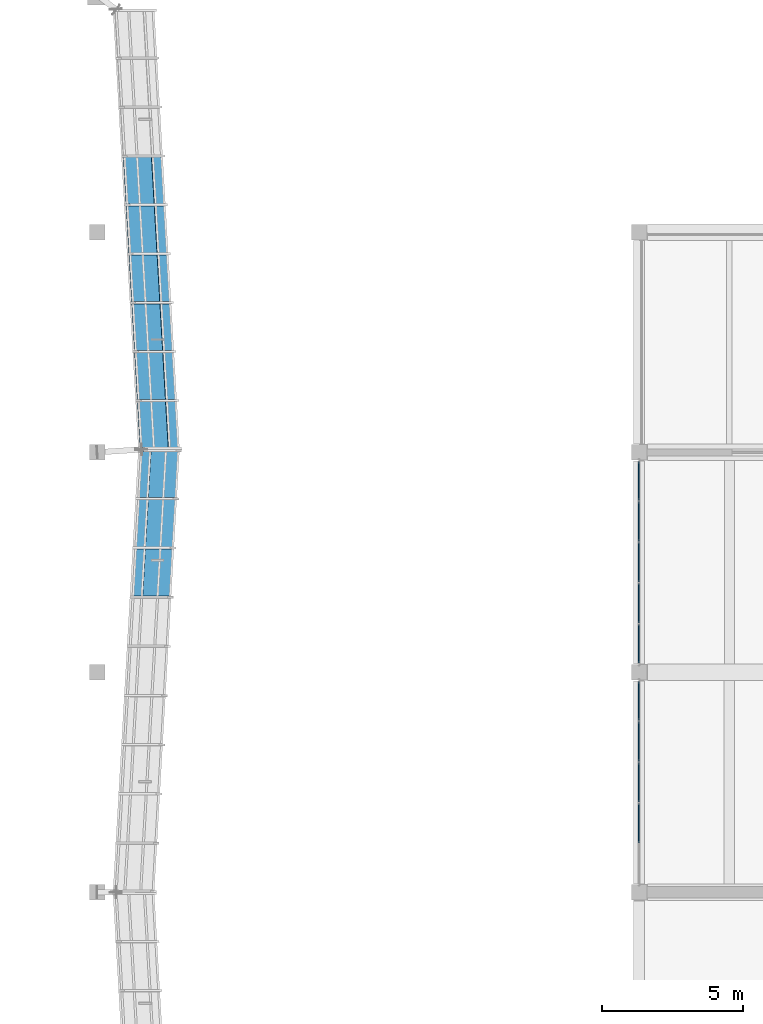
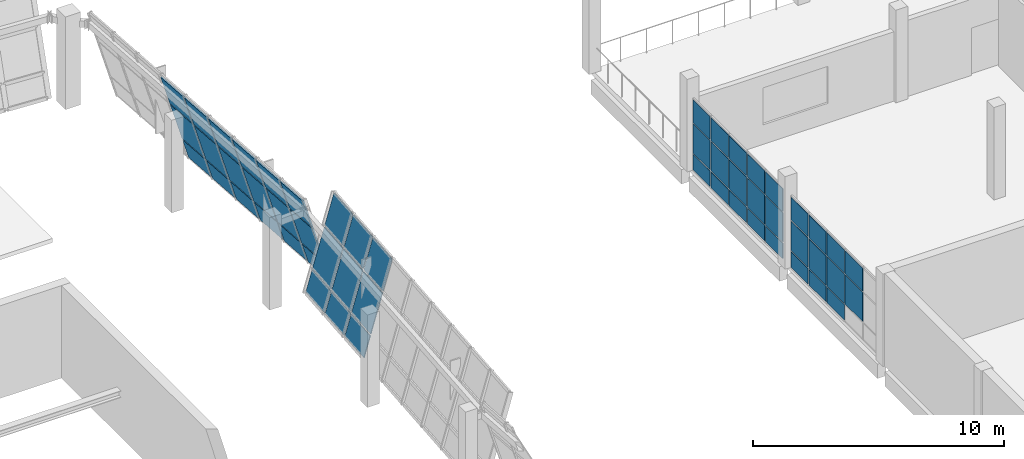
# One storey, part 41 of 67: 53 plates, 4 elements without a shape of their own.
"""IFC4 building model written with IfcOpenShell, lengths in metres."""

from ifc_helpers import new_model, si_unit, direction, frame, origin, place, context, subcontext, project, spatial, polyline, outline, extrude, material, layer, layer_set, type_object, element, aggregate, save


model = new_model("IFC4")

# Units and contexts
model_context = context("Model", 3, precision=1e-05, world=origin(), true_north=direction((0.0, 1.0)))
body_context = subcontext(model_context, "Body", "Model", "MODEL_VIEW")
ifc_project = project(units=[si_unit("LENGTHUNIT", "METRE"), si_unit("AREAUNIT", "SQUARE_METRE"), si_unit("VOLUMEUNIT", "CUBIC_METRE"), si_unit("PLANEANGLEUNIT", "RADIAN"), si_unit("MASSUNIT", "GRAM", prefix="KILO")], contexts=[model_context])

# Site, building, storey
site_placement = place(None, origin())
site = spatial("IfcSite", under=ifc_project, at=site_placement, CompositionType="ELEMENT")
building_placement = place(site_placement, origin())
building = spatial("IfcBuilding", under=site, at=building_placement, Name="Pellamere Symphony Hall", CompositionType="ELEMENT")
storey_placement = place(building_placement, frame((0.0, 0.0, 19.5)))
storey = spatial("IfcBuildingStorey", under=building, at=storey_placement, Name="L04", CompositionType="ELEMENT", Elevation=19.5)

# Curtain wall, plates
ifc_material_1 = material(Name="Thermally Broken Anodised Aluminium 6063-T6 Curtain Wall", Category="aluminium")
curtain_wall_type_1 = type_object("IfcCurtainWallType", Name="Curtain Wall CW-05 (Artists Wing North Studio Ribbon Curtain Wall)", PredefinedType="NOTDEFINED", material=ifc_material_1)
curtain_wall_1_placement = place(storey_placement, origin())
curtain_wall_1 = element("IfcCurtainWall", 1, at=curtain_wall_1_placement, inside=storey, type_object=curtain_wall_type_1, Name="Sculpture Court East Wing Curtain Wall (L04 Bay 1)", PredefinedType="NOTDEFINED")
ifc_material_2 = material(Name="Triple Low-E Argon Acoustic Glazing 36mm", Category="glass")
ifc_layer_1 = layer(ifc_material_2, 0.035888671875, Name="Triple Low-E Argon Acoustic Glazing 36mm")
ifc_layer_set_1 = layer_set([ifc_layer_1], Name="Triple Low-E Argon Acoustic Glazing 36mm")
plate_type_1 = type_object("IfcPlateType", Name="Facade Panel GL-01 36mm", PredefinedType="CURTAIN_PANEL", material=ifc_layer_set_1)
plate_1_placement = place(storey_placement, frame((138.0, 63.554931640625, 0.874755859375), z_axis=(1.0, 0.0, 0.0), x_axis=(0.0, 1.0, 0.0)))
plate_1 = element("IfcPlate", 2, at=plate_1_placement, type_object=plate_type_1, Name="CW5-146 crystal glass panel 2.2", PredefinedType="CURTAIN_PANEL", context=body_context, shape_type="SweptSolid", body=[
    extrude(outline(polyline([(0.0, 0.0), (1.39013671875, 0.0), (1.39013671875, 1.41845703125), (0.0, 1.41845703125), (0.0, 0.0)])), origin(), (0.0, 0.0, -1.0), 0.035888671875),
])
plate_2_placement = place(storey_placement, frame((138.0, 63.554931640625, 2.353271484375), z_axis=(1.0, 0.0, 0.0), x_axis=(0.0, 1.0, 0.0)))
plate_2 = element("IfcPlate", 3, at=plate_2_placement, type_object=plate_type_1, Name="CW5-146 crystal glass panel 2.3", PredefinedType="CURTAIN_PANEL", context=body_context, shape_type="SweptSolid", body=[
    extrude(outline(polyline([(0.0, 0.0), (1.39013671875, 0.0), (1.39013671875, 1.106689453125), (0.0, 1.106689453125), (0.0, 0.0)])), origin(), (0.0, 0.0, -1.0), 0.035888671875),
])
plate_3_placement = place(storey_placement, frame((138.0, 65.0048828125, 0.06005859375), z_axis=(1.0, 0.0, 0.0), x_axis=(0.0, 1.0, 0.0)))
plate_3 = element("IfcPlate", 4, at=plate_3_placement, type_object=plate_type_1, Name="CW5-146 crystal glass panel 3.1", PredefinedType="CURTAIN_PANEL", context=body_context, shape_type="SweptSolid", body=[
    extrude(outline(polyline([(0.0, 0.0), (1.39013671875, 0.0), (1.39013671875, 0.754638671875), (0.0, 0.754638671875), (0.0, 0.0)])), origin(), (0.0, 0.0, -1.0), 0.035888671875),
])
plate_4_placement = place(storey_placement, frame((138.0, 65.0048828125, 0.874755859375), z_axis=(1.0, 0.0, 0.0), x_axis=(0.0, 1.0, 0.0)))
plate_4 = element("IfcPlate", 5, at=plate_4_placement, type_object=plate_type_1, Name="CW5-146 crystal glass panel 3.2", PredefinedType="CURTAIN_PANEL", context=body_context, shape_type="SweptSolid", body=[
    extrude(outline(polyline([(0.0, 0.0), (1.39013671875, 0.0), (1.39013671875, 1.41845703125), (0.0, 1.41845703125), (0.0, 0.0)])), origin(), (0.0, 0.0, -1.0), 0.035888671875),
])
plate_5_placement = place(storey_placement, frame((138.0, 65.0048828125, 2.353271484375), z_axis=(1.0, 0.0, 0.0), x_axis=(0.0, 1.0, 0.0)))
plate_5 = element("IfcPlate", 6, at=plate_5_placement, type_object=plate_type_1, Name="CW5-146 crystal glass panel 3.3", PredefinedType="CURTAIN_PANEL", context=body_context, shape_type="SweptSolid", body=[
    extrude(outline(polyline([(0.0, 0.0), (1.39013671875, 0.0), (1.39013671875, 1.106689453125), (0.0, 1.106689453125), (0.0, 0.0)])), origin(), (0.0, 0.0, -1.0), 0.035888671875),
])
plate_6_placement = place(storey_placement, frame((138.0, 66.455078125, 0.06005859375), z_axis=(1.0, 0.0, 0.0), x_axis=(0.0, 1.0, 0.0)))
plate_6 = element("IfcPlate", 7, at=plate_6_placement, type_object=plate_type_1, Name="CW5-146 crystal glass panel 4.1", PredefinedType="CURTAIN_PANEL", context=body_context, shape_type="SweptSolid", body=[
    extrude(outline(polyline([(0.0, 0.0), (1.389892578125, 0.0), (1.389892578125, 0.754638671875), (0.0, 0.754638671875), (0.0, 0.0)])), origin(), (0.0, 0.0, -1.0), 0.035888671875),
])
plate_7_placement = place(storey_placement, frame((138.0, 66.455078125, 0.874755859375), z_axis=(1.0, 0.0, 0.0), x_axis=(0.0, 1.0, 0.0)))
plate_7 = element("IfcPlate", 8, at=plate_7_placement, type_object=plate_type_1, Name="CW5-146 crystal glass panel 4.2", PredefinedType="CURTAIN_PANEL", context=body_context, shape_type="SweptSolid", body=[
    extrude(outline(polyline([(0.0, 0.0), (1.389892578125, 0.0), (1.389892578125, 1.41845703125), (0.0, 1.41845703125), (0.0, 0.0)])), origin(), (0.0, 0.0, -1.0), 0.035888671875),
])
plate_8_placement = place(storey_placement, frame((138.0, 66.455078125, 2.353271484375), z_axis=(1.0, 0.0, 0.0), x_axis=(0.0, 1.0, 0.0)))
plate_8 = element("IfcPlate", 9, at=plate_8_placement, type_object=plate_type_1, Name="CW5-146 crystal glass panel 4.3", PredefinedType="CURTAIN_PANEL", context=body_context, shape_type="SweptSolid", body=[
    extrude(outline(polyline([(0.0, 0.0), (1.389892578125, 0.0), (1.389892578125, 1.106689453125), (0.0, 1.106689453125), (0.0, 0.0)])), origin(), (0.0, 0.0, -1.0), 0.035888671875),
])
plate_9_placement = place(storey_placement, frame((138.0, 67.905029296875, 0.06005859375), z_axis=(1.0, 0.0, 0.0), x_axis=(0.0, 1.0, 0.0)))
plate_9 = element("IfcPlate", 10, at=plate_9_placement, type_object=plate_type_1, Name="CW5-146 crystal glass panel 5.1", PredefinedType="CURTAIN_PANEL", context=body_context, shape_type="SweptSolid", body=[
    extrude(outline(polyline([(0.0, 0.0), (1.35986328125, 0.0), (1.35986328125, 0.754638671875), (0.0, 0.754638671875), (0.0, 0.0)])), origin(), (0.0, 0.0, -1.0), 0.035888671875),
])
plate_10_placement = place(storey_placement, frame((138.0, 67.905029296875, 0.874755859375), z_axis=(1.0, 0.0, 0.0), x_axis=(0.0, 1.0, 0.0)))
plate_10 = element("IfcPlate", 11, at=plate_10_placement, type_object=plate_type_1, Name="CW5-146 crystal glass panel 5.2", PredefinedType="CURTAIN_PANEL", context=body_context, shape_type="SweptSolid", body=[
    extrude(outline(polyline([(0.0, 0.0), (1.35986328125, 0.0), (1.35986328125, 1.41845703125), (0.0, 1.41845703125), (0.0, 0.0)])), origin(), (0.0, 0.0, -1.0), 0.035888671875),
])
plate_11_placement = place(storey_placement, frame((138.0, 67.905029296875, 2.353271484375), z_axis=(1.0, 0.0, 0.0), x_axis=(0.0, 1.0, 0.0)))
plate_11 = element("IfcPlate", 12, at=plate_11_placement, type_object=plate_type_1, Name="CW5-146 crystal glass panel 5.3", PredefinedType="CURTAIN_PANEL", context=body_context, shape_type="SweptSolid", body=[
    extrude(outline(polyline([(0.0, 0.0), (1.35986328125, 0.0), (1.35986328125, 1.106689453125), (0.0, 1.106689453125), (0.0, 0.0)])), origin(), (0.0, 0.0, -1.0), 0.035888671875),
])
aggregate(curtain_wall_1, [plate_1, plate_2, plate_3, plate_4, plate_5, plate_6, plate_7, plate_8, plate_9, plate_10, plate_11])

curtain_wall_2_placement = place(storey_placement, origin())
curtain_wall_2 = element("IfcCurtainWall", 13, at=curtain_wall_2_placement, inside=storey, type_object=curtain_wall_type_1, Name="Sculpture Court East Wing Curtain Wall (L04 Bay 2)", PredefinedType="NOTDEFINED")
plate_12_placement = place(storey_placement, frame((138.0, 69.93505859375, 0.06005859375), z_axis=(1.0, 0.0, 0.0), x_axis=(0.0, 1.0, 0.0)))
plate_12 = element("IfcPlate", 14, at=plate_12_placement, type_object=plate_type_1, Name="CW5-147 crystal glass panel 1.1", PredefinedType="CURTAIN_PANEL", context=body_context, shape_type="SweptSolid", body=[
    extrude(outline(polyline([(0.0, 0.0), (1.35986328125, 0.0), (1.35986328125, 0.754638671875), (0.0, 0.754638671875), (0.0, 0.0)])), origin(), (0.0, 0.0, -1.0), 0.035888671875),
])
plate_13_placement = place(storey_placement, frame((138.0, 69.93505859375, 0.874755859375), z_axis=(1.0, 0.0, 0.0), x_axis=(0.0, 1.0, 0.0)))
plate_13 = element("IfcPlate", 15, at=plate_13_placement, type_object=plate_type_1, Name="CW5-147 crystal glass panel 1.2", PredefinedType="CURTAIN_PANEL", context=body_context, shape_type="SweptSolid", body=[
    extrude(outline(polyline([(0.0, 0.0), (1.35986328125, 0.0), (1.35986328125, 1.41845703125), (0.0, 1.41845703125), (0.0, 0.0)])), origin(), (0.0, 0.0, -1.0), 0.035888671875),
])
plate_14_placement = place(storey_placement, frame((138.0, 69.93505859375, 2.353271484375), z_axis=(1.0, 0.0, 0.0), x_axis=(0.0, 1.0, 0.0)))
plate_14 = element("IfcPlate", 16, at=plate_14_placement, type_object=plate_type_1, Name="CW5-147 crystal glass panel 1.3", PredefinedType="CURTAIN_PANEL", context=body_context, shape_type="SweptSolid", body=[
    extrude(outline(polyline([(0.0, 0.0), (1.35986328125, 0.0), (1.35986328125, 1.106689453125), (0.0, 1.106689453125), (0.0, 0.0)])), origin(), (0.0, 0.0, -1.0), 0.035888671875),
])
plate_15_placement = place(storey_placement, frame((138.0, 71.35498046875, 0.06005859375), z_axis=(1.0, 0.0, 0.0), x_axis=(0.0, 1.0, 0.0)))
plate_15 = element("IfcPlate", 17, at=plate_15_placement, type_object=plate_type_1, Name="CW5-147 crystal glass panel 2.1", PredefinedType="CURTAIN_PANEL", context=body_context, shape_type="SweptSolid", body=[
    extrude(outline(polyline([(0.0, 0.0), (1.39013671875, 0.0), (1.39013671875, 0.754638671875), (0.0, 0.754638671875), (0.0, 0.0)])), origin(), (0.0, 0.0, -1.0), 0.035888671875),
])
plate_16_placement = place(storey_placement, frame((138.0, 71.35498046875, 0.874755859375), z_axis=(1.0, 0.0, 0.0), x_axis=(0.0, 1.0, 0.0)))
plate_16 = element("IfcPlate", 18, at=plate_16_placement, type_object=plate_type_1, Name="CW5-147 crystal glass panel 2.2", PredefinedType="CURTAIN_PANEL", context=body_context, shape_type="SweptSolid", body=[
    extrude(outline(polyline([(0.0, 0.0), (1.39013671875, 0.0), (1.39013671875, 1.41845703125), (0.0, 1.41845703125), (0.0, 0.0)])), origin(), (0.0, 0.0, -1.0), 0.035888671875),
])
plate_17_placement = place(storey_placement, frame((138.0, 71.35498046875, 2.353271484375), z_axis=(1.0, 0.0, 0.0), x_axis=(0.0, 1.0, 0.0)))
plate_17 = element("IfcPlate", 19, at=plate_17_placement, type_object=plate_type_1, Name="CW5-147 crystal glass panel 2.3", PredefinedType="CURTAIN_PANEL", context=body_context, shape_type="SweptSolid", body=[
    extrude(outline(polyline([(0.0, 0.0), (1.39013671875, 0.0), (1.39013671875, 1.106689453125), (0.0, 1.106689453125), (0.0, 0.0)])), origin(), (0.0, 0.0, -1.0), 0.035888671875),
])
plate_18_placement = place(storey_placement, frame((138.0, 72.804931640625, 0.06005859375), z_axis=(1.0, 0.0, 0.0), x_axis=(0.0, 1.0, 0.0)))
plate_18 = element("IfcPlate", 20, at=plate_18_placement, type_object=plate_type_1, Name="CW5-147 crystal glass panel 3.1", PredefinedType="CURTAIN_PANEL", context=body_context, shape_type="SweptSolid", body=[
    extrude(outline(polyline([(0.0, 0.0), (1.39013671875, 0.0), (1.39013671875, 0.754638671875), (0.0, 0.754638671875), (0.0, 0.0)])), origin(), (0.0, 0.0, -1.0), 0.035888671875),
])
plate_19_placement = place(storey_placement, frame((138.0, 72.804931640625, 0.874755859375), z_axis=(1.0, 0.0, 0.0), x_axis=(0.0, 1.0, 0.0)))
plate_19 = element("IfcPlate", 21, at=plate_19_placement, type_object=plate_type_1, Name="CW5-147 crystal glass panel 3.2", PredefinedType="CURTAIN_PANEL", context=body_context, shape_type="SweptSolid", body=[
    extrude(outline(polyline([(0.0, 0.0), (1.39013671875, 0.0), (1.39013671875, 1.41845703125), (0.0, 1.41845703125), (0.0, 0.0)])), origin(), (0.0, 0.0, -1.0), 0.035888671875),
])
plate_20_placement = place(storey_placement, frame((138.0, 72.804931640625, 2.353271484375), z_axis=(1.0, 0.0, 0.0), x_axis=(0.0, 1.0, 0.0)))
plate_20 = element("IfcPlate", 22, at=plate_20_placement, type_object=plate_type_1, Name="CW5-147 crystal glass panel 3.3", PredefinedType="CURTAIN_PANEL", context=body_context, shape_type="SweptSolid", body=[
    extrude(outline(polyline([(0.0, 0.0), (1.39013671875, 0.0), (1.39013671875, 1.106689453125), (0.0, 1.106689453125), (0.0, 0.0)])), origin(), (0.0, 0.0, -1.0), 0.035888671875),
])
plate_21_placement = place(storey_placement, frame((138.0, 74.2548828125, 0.06005859375), z_axis=(1.0, 0.0, 0.0), x_axis=(0.0, 1.0, 0.0)))
plate_21 = element("IfcPlate", 23, at=plate_21_placement, type_object=plate_type_1, Name="CW5-147 crystal glass panel 4.1", PredefinedType="CURTAIN_PANEL", context=body_context, shape_type="SweptSolid", body=[
    extrude(outline(polyline([(0.0, 0.0), (1.39013671875, 0.0), (1.39013671875, 0.754638671875), (0.0, 0.754638671875), (0.0, 0.0)])), origin(), (0.0, 0.0, -1.0), 0.035888671875),
])
plate_22_placement = place(storey_placement, frame((138.0, 74.2548828125, 0.874755859375), z_axis=(1.0, 0.0, 0.0), x_axis=(0.0, 1.0, 0.0)))
plate_22 = element("IfcPlate", 24, at=plate_22_placement, type_object=plate_type_1, Name="CW5-147 crystal glass panel 4.2", PredefinedType="CURTAIN_PANEL", context=body_context, shape_type="SweptSolid", body=[
    extrude(outline(polyline([(0.0, 0.0), (1.39013671875, 0.0), (1.39013671875, 1.41845703125), (0.0, 1.41845703125), (0.0, 0.0)])), origin(), (0.0, 0.0, -1.0), 0.035888671875),
])
plate_23_placement = place(storey_placement, frame((138.0, 74.2548828125, 2.353271484375), z_axis=(1.0, 0.0, 0.0), x_axis=(0.0, 1.0, 0.0)))
plate_23 = element("IfcPlate", 25, at=plate_23_placement, type_object=plate_type_1, Name="CW5-147 crystal glass panel 4.3", PredefinedType="CURTAIN_PANEL", context=body_context, shape_type="SweptSolid", body=[
    extrude(outline(polyline([(0.0, 0.0), (1.39013671875, 0.0), (1.39013671875, 1.106689453125), (0.0, 1.106689453125), (0.0, 0.0)])), origin(), (0.0, 0.0, -1.0), 0.035888671875),
])
plate_24_placement = place(storey_placement, frame((138.0, 75.705078125, 0.06005859375), z_axis=(1.0, 0.0, 0.0), x_axis=(0.0, 1.0, 0.0)))
plate_24 = element("IfcPlate", 26, at=plate_24_placement, type_object=plate_type_1, Name="CW5-147 crystal glass panel 5.1", PredefinedType="CURTAIN_PANEL", context=body_context, shape_type="SweptSolid", body=[
    extrude(outline(polyline([(0.0, 0.0), (1.35986328125, 0.0), (1.35986328125, 0.754638671875), (0.0, 0.754638671875), (0.0, 0.0)])), origin(), (0.0, 0.0, -1.0), 0.035888671875),
])
plate_25_placement = place(storey_placement, frame((138.0, 75.705078125, 0.874755859375), z_axis=(1.0, 0.0, 0.0), x_axis=(0.0, 1.0, 0.0)))
plate_25 = element("IfcPlate", 27, at=plate_25_placement, type_object=plate_type_1, Name="CW5-147 crystal glass panel 5.2", PredefinedType="CURTAIN_PANEL", context=body_context, shape_type="SweptSolid", body=[
    extrude(outline(polyline([(0.0, 0.0), (1.35986328125, 0.0), (1.35986328125, 1.41845703125), (0.0, 1.41845703125), (0.0, 0.0)])), origin(), (0.0, 0.0, -1.0), 0.035888671875),
])
plate_26_placement = place(storey_placement, frame((138.0, 75.705078125, 2.353271484375), z_axis=(1.0, 0.0, 0.0), x_axis=(0.0, 1.0, 0.0)))
plate_26 = element("IfcPlate", 28, at=plate_26_placement, type_object=plate_type_1, Name="CW5-147 crystal glass panel 5.3", PredefinedType="CURTAIN_PANEL", context=body_context, shape_type="SweptSolid", body=[
    extrude(outline(polyline([(0.0, 0.0), (1.35986328125, 0.0), (1.35986328125, 1.106689453125), (0.0, 1.106689453125), (0.0, 0.0)])), origin(), (0.0, 0.0, -1.0), 0.035888671875),
])
aggregate(curtain_wall_2, [plate_12, plate_13, plate_14, plate_15, plate_16, plate_17, plate_18, plate_19, plate_20, plate_21, plate_22, plate_23, plate_24, plate_25, plate_26])

curtain_wall_type_2 = type_object("IfcCurtainWallType", Name="Curtain Wall CW-01 (Tilted Faceted Crystal Low-Iron Curtain Wall)", PredefinedType="NOTDEFINED", material=ifc_material_1)
curtain_wall_3_placement = place(storey_placement, origin())
curtain_wall_3 = element("IfcCurtainWall", 29, at=curtain_wall_3_placement, inside=storey, type_object=curtain_wall_type_2, Name="Crystal Faceted Curtain Wall CW-CR08 (L04)", PredefinedType="NOTDEFINED")
ifc_material_3 = material(Name="Triple Laminated Acoustic Crystal Glazing 42mm", Category="glass")
ifc_layer_2 = layer(ifc_material_3, 0.0419921875, Name="Triple Laminated Acoustic Crystal Glazing 42mm")
ifc_layer_set_2 = layer_set([ifc_layer_2], Name="Triple Laminated Acoustic Crystal Glazing 42mm")
plate_type_2 = type_object("IfcPlateType", Name="Facade Panel GL-02 42mm", PredefinedType="CURTAIN_PANEL", material=ifc_layer_set_2)
plate_27_placement = place(storey_placement, frame((120.073486328125, 72.30419921875, 0.072021484375), z_axis=(-0.957389337449, 0.054883974887, 0.283537309433), x_axis=(0.057232737422, 0.998360863499, 0.0)))
plate_27 = element("IfcPlate", 30, at=plate_27_placement, type_object=plate_type_2, Name="CW1-016 crystal glass panel 7.1", PredefinedType="CURTAIN_PANEL", context=body_context, shape_type="SweptSolid", body=[
    extrude(outline(polyline([(0.0, 0.0), (1.6721745160346768, -3.469446951953614e-18), (1.688648490014305, -1.01351735845357), (0.016473973979628256, -1.01351735845357), (0.0, 0.0)])), origin(), (0.0, 0.0, -1.0), 0.0419921875),
])
plate_28_placement = place(storey_placement, frame((120.3828125, 72.30419921875, 1.115966796875), z_axis=(-0.957371163384, 0.054882933028, 0.283598870206), x_axis=(0.057232737422, 0.998360863499, 0.0)))
plate_28 = element("IfcPlate", 31, at=plate_28_placement, type_object=plate_type_2, Name="CW1-016 crystal glass panel 7.2", PredefinedType="CURTAIN_PANEL", context=body_context, shape_type="SweptSolid", body=[
    extrude(outline(polyline([(0.0, 0.0), (1.6721745160346768, -3.469446951953614e-18), (1.7029985928786633, -1.8959575604045968), (0.030824076843986373, -1.895957560404597), (0.0, 0.0)])), origin(), (0.0, 0.0, -1.0), 0.0419921875),
])
plate_29_placement = place(storey_placement, frame((120.942626953125, 72.30419921875, 3.005859375), z_axis=(-0.957394380588, 0.054884263994, 0.283520224294), x_axis=(0.057232737422, 0.998360863499, 0.0)))
plate_29 = element("IfcPlate", 32, at=plate_29_placement, type_object=plate_type_2, Name="CW1-016 crystal glass panel 7.3", PredefinedType="CURTAIN_PANEL", context=body_context, shape_type="SweptSolid", body=[
    extrude(outline(polyline([(0.0, 0.0), (1.6721745160346768, -3.469446951953614e-18), (1.696277658625736, -1.482970990869004), (0.02410314259105915, -1.482970990869004), (0.0, 0.0)])), origin(), (0.0, 0.0, -1.0), 0.0419921875),
])
plate_30_placement = place(storey_placement, frame((120.17333984375, 74.048583984375, 0.072021484375), z_axis=(-0.957324034181, 0.054880231266, 0.283758442686), x_axis=(0.057232737422, 0.998360863499, 0.0)))
plate_30 = element("IfcPlate", 33, at=plate_30_placement, type_object=plate_type_2, Name="CW1-016 crystal glass panel 8.1", PredefinedType="CURTAIN_PANEL", context=body_context, shape_type="SweptSolid", body=[
    extrude(outline(polyline([(0.0, 0.0), (1.6721745160346768, 6.938893903907228e-18), (1.6886624628505897, -1.013586494914077), (0.01648794681591293, -1.013586494914077), (0.0, 0.0)])), origin(), (0.0, 0.0, -1.0), 0.0419921875),
])
plate_31_placement = place(storey_placement, frame((120.482666015625, 74.048583984375, 1.115966796875), z_axis=(-0.957371163384, 0.054882933028, 0.283598870206), x_axis=(0.057232737422, 0.998360863499, 0.0)))
plate_31 = element("IfcPlate", 34, at=plate_31_placement, type_object=plate_type_2, Name="CW1-016 crystal glass panel 8.2", PredefinedType="CURTAIN_PANEL", context=body_context, shape_type="SweptSolid", body=[
    extrude(outline(polyline([(0.0, 0.0), (1.6721745160346768, -3.469446951953614e-18), (1.7029985928786633, -1.8959575604045968), (0.030824076843986373, -1.895957560404597), (0.0, 0.0)])), origin(), (0.0, 0.0, -1.0), 0.0419921875),
])
plate_32_placement = place(storey_placement, frame((121.04248046875, 74.048583984375, 3.005859375), z_axis=(-0.95734975691, 0.054881705866, 0.283671361447), x_axis=(0.057232737422, 0.998360863499, 0.0)))
plate_32 = element("IfcPlate", 35, at=plate_32_placement, type_object=plate_type_2, Name="CW1-016 crystal glass panel 8.3", PredefinedType="CURTAIN_PANEL", context=body_context, shape_type="SweptSolid", body=[
    extrude(outline(polyline([(0.0, 0.0), (1.6721745160346768, 3.469446951953614e-18), (1.6962916314620207, -1.4830401146342416), (0.024117115427343825, -1.4830401146342416), (0.0, 0.0)])), origin(), (0.0, 0.0, -1.0), 0.0419921875),
])
plate_33_placement = place(storey_placement, frame((120.2734375, 75.79296875, 0.072021484375), z_axis=(-0.95732575671, 0.054847534004, 0.283758953257), x_axis=(0.057198647566, 0.998362817175, 0.0)))
plate_33 = element("IfcPlate", 36, at=plate_33_placement, type_object=plate_type_2, Name="CW1-016 crystal glass panel 9.1", PredefinedType="CURTAIN_PANEL", context=body_context, shape_type="SweptSolid", body=[
    extrude(outline(polyline([(0.0, 0.0), (1.6347564733470132, -3.469446951953614e-18), (1.6512345993547588, -1.013586654620946), (0.016478126007745692, -1.013586654620946), (0.0, 0.0)])), origin(), (0.0, 0.0, -1.0), 0.0419921875),
])
plate_34_placement = place(storey_placement, frame((120.582763671875, 75.79296875, 1.115966796875), z_axis=(-0.957372886168, 0.054850234166, 0.283599380541), x_axis=(0.057198647566, 0.998362817175, 0.0)))
plate_34 = element("IfcPlate", 37, at=plate_34_placement, type_object=plate_type_2, Name="CW1-016 crystal glass panel 9.2", PredefinedType="CURTAIN_PANEL", context=body_context, shape_type="SweptSolid", body=[
    extrude(outline(polyline([(0.0, 0.0), (1.6347564733470132, 0.0), (1.665562190273358, -1.8959578588073336), (0.03080571692634491, -1.8959578588073336), (0.0, 0.0)])), origin(), (0.0, 0.0, -1.0), 0.0419921875),
])
plate_35_placement = place(storey_placement, frame((121.142578125, 75.79296875, 3.005859375), z_axis=(-0.957351479578, 0.05484900773, 0.283671871889), x_axis=(0.057198647566, 0.998362817175, 0.0)))
plate_35 = element("IfcPlate", 38, at=plate_35_placement, type_object=plate_type_2, Name="CW1-016 crystal glass panel 9.3", PredefinedType="CURTAIN_PANEL", context=body_context, shape_type="SweptSolid", body=[
    extrude(outline(polyline([(0.0, 0.0), (1.6347564733470132, 3.469446951953614e-18), (1.6588592237617328, -1.4830403481676844), (0.024102750414719543, -1.4830403481676844), (0.0, 0.0)])), origin(), (0.0, 0.0, -1.0), 0.0419921875),
])
aggregate(curtain_wall_3, [plate_27, plate_28, plate_29, plate_30, plate_31, plate_32, plate_33, plate_34, plate_35])

curtain_wall_4_placement = place(storey_placement, origin())
curtain_wall_4 = element("IfcCurtainWall", 39, at=curtain_wall_4_placement, inside=storey, type_object=curtain_wall_type_2, Name="Crystal Faceted Curtain Wall CW-CR09 (L04)", PredefinedType="NOTDEFINED")
ifc_material_4 = material(Name="Vacuum-Insulated Bronze-Anodised Aluminium Spandrel Panel", Category="aluminium")
ifc_layer_3 = layer(ifc_material_4, 0.06494140625, Name="Vacuum-Insulated Bronze-Anodised Aluminium Spandrel Panel")
ifc_layer_set_3 = layer_set([ifc_layer_3], Name="Vacuum-Insulated Bronze-Anodised Aluminium Spandrel Panel")
plate_type_3 = type_object("IfcPlateType", Name="Facade Panel SP-01 65mm", PredefinedType="CURTAIN_PANEL", material=ifc_layer_set_3)
plate_36_placement = place(storey_placement, frame((121.657470703125, 77.574951171875, 0.072021484375), z_axis=(0.957305734249, 0.055226404009, 0.283753018441), x_axis=(-0.057593652861, 0.998340107954, 0.0)))
plate_36 = element("IfcPlate", 40, at=plate_36_placement, type_object=plate_type_3, Name="CW1-021 crystal glass panel 1.1", PredefinedType="CURTAIN_PANEL", context=body_context, shape_type="SweptSolid", body=[
    extrude(outline(polyline([(0.0, 0.0), (1.6235445180063734, -6.938893903907228e-18), (1.6401364394849838, 1.0135847982305457), (0.016591921478610355, 1.0135847982305457), (0.0, 0.0)])), origin(), (0.0, 0.0, -1.0), 0.06494140625),
])
plate_37_placement = place(storey_placement, frame((121.34814453125, 77.574951171875, 1.115966796875), z_axis=(0.95735286075, 0.055229122709, 0.283593448478), x_axis=(-0.057593652861, 0.998340107954, 0.0)))
plate_37 = element("IfcPlate", 41, at=plate_37_placement, type_object=plate_type_3, Name="CW1-021 crystal glass panel 1.2", PredefinedType="CURTAIN_PANEL", context=body_context, shape_type="SweptSolid", body=[
    extrude(outline(polyline([(0.0, 0.0), (1.6235445180063734, 0.0), (1.6545629746011314, 1.8959543902528653), (0.031018456594758003, 1.8959543902528653), (0.0, 0.0)])), origin(), (0.0, 0.0, -1.0), 0.06494140625),
])
plate_38_placement = place(storey_placement, frame((120.788330078125, 77.574951171875, 3.005859375), z_axis=(0.957331455503, 0.055227887853, 0.283665938575), x_axis=(-0.057593652861, 0.998340107954, 0.0)))
plate_38 = element("IfcPlate", 42, at=plate_38_placement, type_object=plate_type_3, Name="CW1-021 crystal glass panel 1.3", PredefinedType="CURTAIN_PANEL", context=body_context, shape_type="SweptSolid", body=[
    extrude(outline(polyline([(0.0, 0.0), (1.6235445180063734, -3.469446951953614e-18), (1.6478137184064425, 1.4830376336367266), (0.024269200400069045, 1.4830376336367266), (0.0, 0.0)])), origin(), (0.0, 0.0, -1.0), 0.06494140625),
])
plate_39_placement = place(storey_placement, frame((121.5595703125, 79.270751953125, 0.072021484375), z_axis=(0.957304871124, 0.05524267768, 0.283752762604), x_axis=(-0.057610619545, 0.998339129012, 0.0)))
plate_39 = element("IfcPlate", 43, at=plate_39_placement, type_object=plate_type_3, Name="CW1-021 crystal glass panel 2.1", PredefinedType="CURTAIN_PANEL", context=body_context, shape_type="SweptSolid", body=[
    extrude(outline(polyline([(0.0, 0.0), (1.6612063149993754, 0.0), (1.677803124341095, 1.0135847182066644), (0.01659680934171927, 1.0135847182066644), (0.0, 0.0)])), origin(), (0.0, 0.0, -1.0), 0.06494140625),
])
plate_40_placement = place(storey_placement, frame((121.250244140625, 79.270751953125, 1.115966796875), z_axis=(0.957351997497, 0.055245397176, 0.283593192759), x_axis=(-0.057610619545, 0.998339129012, 0.0)))
plate_40 = element("IfcPlate", 44, at=plate_40_placement, type_object=plate_type_3, Name="CW1-021 crystal glass panel 2.2", PredefinedType="CURTAIN_PANEL", context=body_context, shape_type="SweptSolid", body=[
    extrude(outline(polyline([(0.0, 0.0), (1.6612063149993754, -3.469446951953614e-18), (1.6922339094127932, 1.8959542407330272), (0.031027594413417556, 1.8959542407330272), (0.0, 0.0)])), origin(), (0.0, 0.0, -1.0), 0.06494140625),
])
plate_41_placement = place(storey_placement, frame((120.6904296875, 79.270751953125, 3.005859375), z_axis=(0.957330592308, 0.055244161959, 0.283665682802), x_axis=(-0.057610619545, 0.998339129012, 0.0)))
plate_41 = element("IfcPlate", 45, at=plate_41_placement, type_object=plate_type_3, Name="CW1-021 crystal glass panel 2.3", PredefinedType="CURTAIN_PANEL", context=body_context, shape_type="SweptSolid", body=[
    extrude(outline(polyline([(0.0, 0.0), (1.6612063149993754, 0.0), (1.6854826649348056, 1.4830375166207674), (0.024276349935430055, 1.4830375166207674), (0.0, 0.0)])), origin(), (0.0, 0.0, -1.0), 0.06494140625),
])
plate_42_placement = place(storey_placement, frame((121.45947265625, 81.004150390625, 0.072021484375), z_axis=(0.95737017047, 0.055246445874, 0.283531633003), x_axis=(-0.057610619545, 0.998339129012, 0.0)))
plate_42 = element("IfcPlate", 46, at=plate_42_placement, type_object=plate_type_3, Name="CW1-021 crystal glass panel 3.1", PredefinedType="CURTAIN_PANEL", context=body_context, shape_type="SweptSolid", body=[
    extrude(outline(polyline([(0.0, 0.0), (1.6612063149993754, -3.469446951953614e-18), (1.6777890592484324, 1.0135155846352601), (0.0165827442490568, 1.0135155846352604), (0.0, 0.0)])), origin(), (0.0, 0.0, -1.0), 0.06494140625),
])
plate_43_placement = place(storey_placement, frame((121.150390625, 81.004150390625, 1.115966796875), z_axis=(0.957351997497, 0.055245397176, 0.283593192759), x_axis=(-0.057610619545, 0.998339129012, 0.0)))
plate_43 = element("IfcPlate", 47, at=plate_43_placement, type_object=plate_type_3, Name="CW1-021 crystal glass panel 3.2", PredefinedType="CURTAIN_PANEL", context=body_context, shape_type="SweptSolid", body=[
    extrude(outline(polyline([(0.0, 0.0), (1.6612063149993754, -3.469446951953614e-18), (1.6922339094127932, 1.8959542407330272), (0.031027594413417556, 1.8959542407330272), (0.0, 0.0)])), origin(), (0.0, 0.0, -1.0), 0.06494140625),
])
plate_44_placement = place(storey_placement, frame((120.59033203125, 81.004150390625, 3.005859375), z_axis=(0.957375213306, 0.055246736879, 0.283514548147), x_axis=(-0.057610619545, 0.998339129012, 0.0)))
plate_44 = element("IfcPlate", 48, at=plate_44_placement, type_object=plate_type_3, Name="CW1-021 crystal glass panel 3.3", PredefinedType="CURTAIN_PANEL", context=body_context, shape_type="SweptSolid", body=[
    extrude(outline(polyline([(0.0, 0.0), (1.6612063149993754, -6.938893903907228e-18), (1.685468599842143, 1.482968395744147), (0.02426228484276758, 1.482968395744147), (0.0, 0.0)])), origin(), (0.0, 0.0, -1.0), 0.06494140625),
])
plate_45_placement = place(storey_placement, frame((121.359619140625, 82.737548828125, 0.072021484375), z_axis=(0.957304871124, 0.05524267768, 0.283752762604), x_axis=(-0.057610619545, 0.998339129012, 0.0)))
plate_45 = element("IfcPlate", 49, at=plate_45_placement, type_object=plate_type_3, Name="CW1-021 crystal glass panel 4.1", PredefinedType="CURTAIN_PANEL", context=body_context, shape_type="SweptSolid", body=[
    extrude(outline(polyline([(0.0, 0.0), (1.6612063149993754, 0.0), (1.677803124341095, 1.0135847182066644), (0.01659680934171927, 1.0135847182066644), (0.0, 0.0)])), origin(), (0.0, 0.0, -1.0), 0.06494140625),
])
plate_46_placement = place(storey_placement, frame((121.05029296875, 82.737548828125, 1.115966796875), z_axis=(0.957351997497, 0.055245397176, 0.283593192759), x_axis=(-0.057610619545, 0.998339129012, 0.0)))
plate_46 = element("IfcPlate", 50, at=plate_46_placement, type_object=plate_type_3, Name="CW1-021 crystal glass panel 4.2", PredefinedType="CURTAIN_PANEL", context=body_context, shape_type="SweptSolid", body=[
    extrude(outline(polyline([(0.0, 0.0), (1.6612063149993754, -3.469446951953614e-18), (1.6922339094127932, 1.8959542407330272), (0.031027594413417556, 1.8959542407330272), (0.0, 0.0)])), origin(), (0.0, 0.0, -1.0), 0.06494140625),
])
plate_47_placement = place(storey_placement, frame((120.490478515625, 82.737548828125, 3.005859375), z_axis=(0.957330592308, 0.055244161959, 0.283665682802), x_axis=(-0.057610619545, 0.998339129012, 0.0)))
plate_47 = element("IfcPlate", 51, at=plate_47_placement, type_object=plate_type_3, Name="CW1-021 crystal glass panel 4.3", PredefinedType="CURTAIN_PANEL", context=body_context, shape_type="SweptSolid", body=[
    extrude(outline(polyline([(0.0, 0.0), (1.6612063149993754, 0.0), (1.6854826649348056, 1.4830375166207674), (0.024276349935430055, 1.4830375166207674), (0.0, 0.0)])), origin(), (0.0, 0.0, -1.0), 0.06494140625),
])
plate_48_placement = place(storey_placement, frame((121.259521484375, 84.470703125, 0.072021484375), z_axis=(0.95737017047, 0.055246445874, 0.283531633003), x_axis=(-0.057610619545, 0.998339129012, 0.0)))
plate_48 = element("IfcPlate", 52, at=plate_48_placement, type_object=plate_type_3, Name="CW1-021 crystal glass panel 5.1", PredefinedType="CURTAIN_PANEL", context=body_context, shape_type="SweptSolid", body=[
    extrude(outline(polyline([(0.0, 0.0), (1.6612063149993754, -3.469446951953614e-18), (1.6777890592484324, 1.0135155846352601), (0.0165827442490568, 1.0135155846352604), (0.0, 0.0)])), origin(), (0.0, 0.0, -1.0), 0.06494140625),
])
plate_49_placement = place(storey_placement, frame((120.9501953125, 84.470703125, 1.115966796875), z_axis=(0.957351997497, 0.055245397176, 0.283593192759), x_axis=(-0.057610619545, 0.998339129012, 0.0)))
plate_49 = element("IfcPlate", 53, at=plate_49_placement, type_object=plate_type_3, Name="CW1-021 crystal glass panel 5.2", PredefinedType="CURTAIN_PANEL", context=body_context, shape_type="SweptSolid", body=[
    extrude(outline(polyline([(0.0, 0.0), (1.6612063149993754, -3.469446951953614e-18), (1.6922339094127932, 1.8959542407330272), (0.031027594413417556, 1.8959542407330272), (0.0, 0.0)])), origin(), (0.0, 0.0, -1.0), 0.06494140625),
])
plate_50_placement = place(storey_placement, frame((120.390380859375, 84.470703125, 3.005859375), z_axis=(0.957375213306, 0.055246736879, 0.283514548147), x_axis=(-0.057610619545, 0.998339129012, 0.0)))
plate_50 = element("IfcPlate", 54, at=plate_50_placement, type_object=plate_type_3, Name="CW1-021 crystal glass panel 5.3", PredefinedType="CURTAIN_PANEL", context=body_context, shape_type="SweptSolid", body=[
    extrude(outline(polyline([(0.0, 0.0), (1.6612063149993754, -6.938893903907228e-18), (1.685468599842143, 1.482968395744147), (0.02426228484276758, 1.482968395744147), (0.0, 0.0)])), origin(), (0.0, 0.0, -1.0), 0.06494140625),
])
plate_51_placement = place(storey_placement, frame((121.159423828125, 86.2041015625, 0.072021484375), z_axis=(0.957341250423, 0.055174311724, 0.283643306926), x_axis=(-0.057531487585, 0.998343692091, -1.9953977e-05)))
plate_51 = element("IfcPlate", 55, at=plate_51_placement, type_object=plate_type_3, Name="CW1-021 crystal glass panel 6.1", PredefinedType="CURTAIN_PANEL", context=body_context, shape_type="SweptSolid", body=[
    extrude(outline(polyline([(0.0, 0.0), (1.6611922636769045, -3.469446951953614e-18), (1.6777468824677166, 1.0135854014350005), (0.016540573017476246, 1.0135162670094096), (0.0, 0.0)])), origin(), (0.0, 0.0, -1.0), 0.06494140625),
])
plate_52_placement = place(storey_placement, frame((120.850341796875, 86.2041015625, 1.115966796875), z_axis=(0.957351997497, 0.055245397176, 0.283593192759), x_axis=(-0.057610619545, 0.998339129012, 0.0)))
plate_52 = element("IfcPlate", 56, at=plate_52_placement, type_object=plate_type_3, Name="CW1-021 crystal glass panel 6.2", PredefinedType="CURTAIN_PANEL", context=body_context, shape_type="SweptSolid", body=[
    extrude(outline(polyline([(0.0, 0.0), (1.6612063149993754, -3.469446951953614e-18), (1.6922339094127932, 1.8959542407330272), (0.031027594413417556, 1.8959542407330272), (0.0, 0.0)])), origin(), (0.0, 0.0, -1.0), 0.06494140625),
])
plate_53_placement = place(storey_placement, frame((120.29052734375, 86.2041015625, 3.005859375), z_axis=(0.957330592308, 0.055244161959, 0.283665682802), x_axis=(-0.057610619545, 0.998339129012, 0.0)))
plate_53 = element("IfcPlate", 57, at=plate_53_placement, type_object=plate_type_3, Name="CW1-021 crystal glass panel 6.3", PredefinedType="CURTAIN_PANEL", context=body_context, shape_type="SweptSolid", body=[
    extrude(outline(polyline([(0.0, 0.0), (1.6612063149993754, 0.0), (1.6854826649348056, 1.4830375166207674), (0.024276349935430055, 1.4830375166207674), (0.0, 0.0)])), origin(), (0.0, 0.0, -1.0), 0.06494140625),
])
aggregate(curtain_wall_4, [plate_36, plate_37, plate_38, plate_39, plate_40, plate_41, plate_42, plate_43, plate_44, plate_45, plate_46, plate_47, plate_48, plate_49, plate_50, plate_51, plate_52, plate_53])

save(model, "model.ifc")
